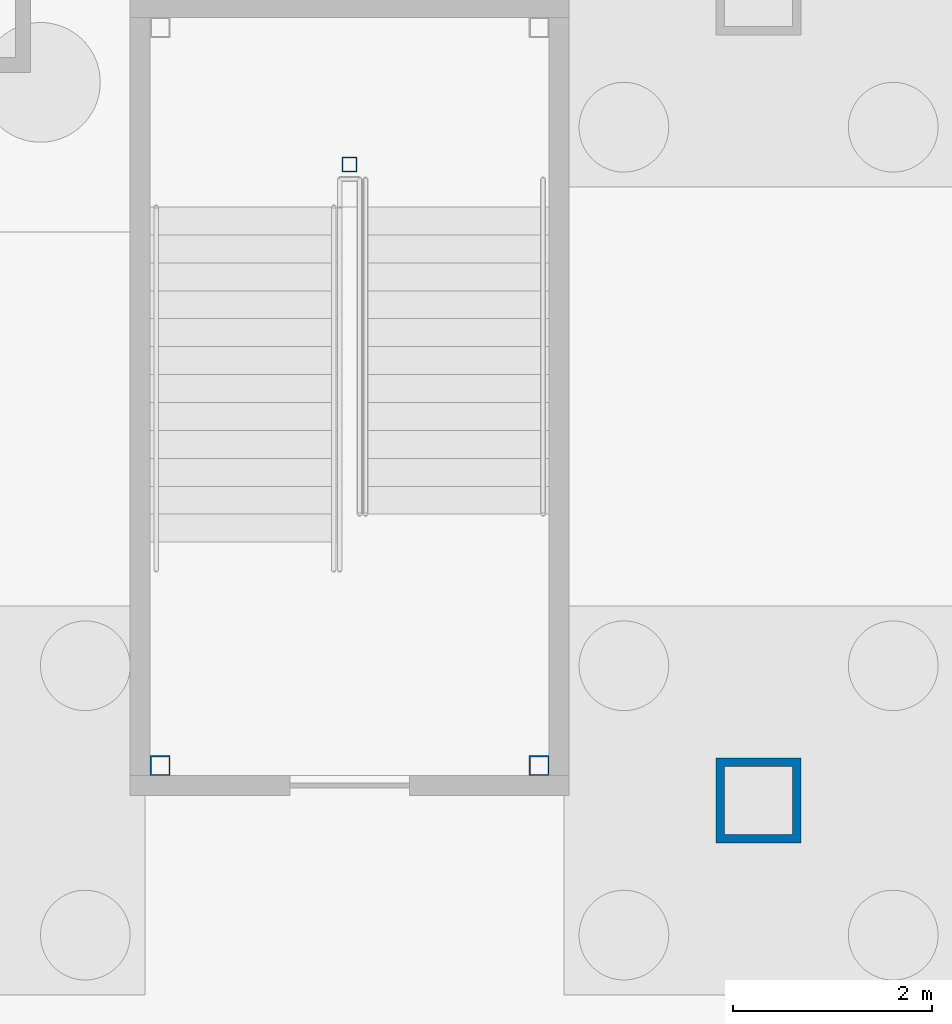
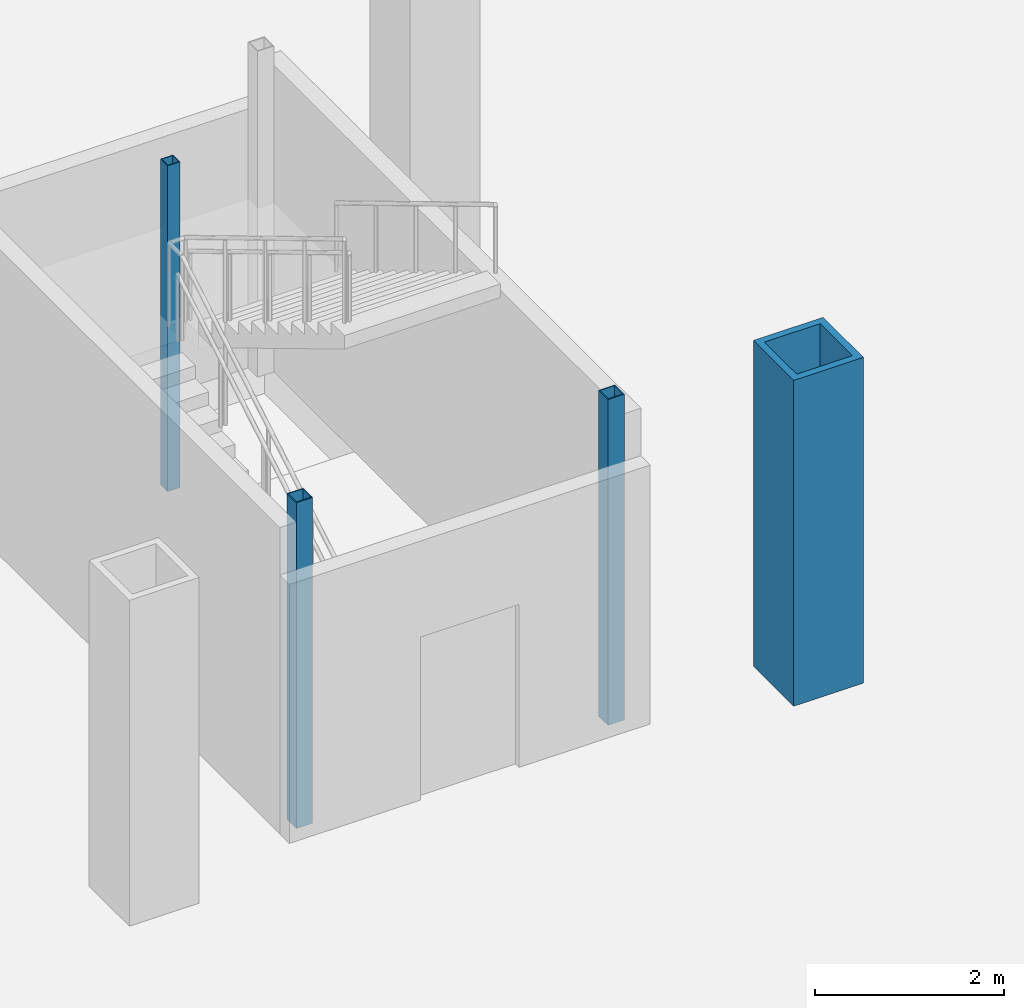
# One storey, part 6 of 17: 4 columns.
"""IFC4 building model written with IfcOpenShell, lengths in metres."""

from ifc_helpers import new_model, si_unit, direction, frame, origin, origin_2d, place, context, subcontext, project, spatial, hollow_rectangle, extrude, material, material_profile, profile_set, type_object, element, save


model = new_model("IFC4")

# Units and contexts
model_context = context("Model", 3, precision=1e-05, world=origin(), true_north=direction((0.0, 1.0)))
body_context = subcontext(model_context, "Body", "Model", "MODEL_VIEW")
ifc_project = project(units=[si_unit("LENGTHUNIT", "METRE"), si_unit("AREAUNIT", "SQUARE_METRE"), si_unit("VOLUMEUNIT", "CUBIC_METRE"), si_unit("PLANEANGLEUNIT", "RADIAN"), si_unit("MASSUNIT", "GRAM", prefix="KILO")], contexts=[model_context])

# Site, building, storey
site_placement = place(None, origin())
site = spatial("IfcSite", under=ifc_project, at=site_placement, CompositionType="ELEMENT")
building_placement = place(site_placement, origin())
building = spatial("IfcBuilding", under=site, at=building_placement, Name="Kopane Lantern Tower", CompositionType="ELEMENT")
storey_placement = place(building_placement, frame((0.0, 0.0, -8.39990234375)))
storey = spatial("IfcBuildingStorey", under=building, at=storey_placement, Name="L-02", CompositionType="ELEMENT", Elevation=-8.39990234375)

# Columns
ifc_material_1 = material(Name="Steel S355JR", Category="steel")
ifc_material_profile_1 = material_profile(ifc_material_1, hollow_rectangle(XDim=0.85009765625, YDim=0.85009765625, WallThickness=0.0849609375, at=origin_2d()), Name="BOX 850x850x85")
ifc_profile_set_1 = profile_set([ifc_material_profile_1], Name="Steel S355JR")
column_type_1 = type_object("IfcColumnType", Name="COLUMN BOX 850x850x85", PredefinedType="COLUMN", material=ifc_profile_set_1)
column_1_placement = place(storey_placement, frame((48.60009765625, 16.199951171875, 0.0), z_axis=(0.0, 0.0, 1.0), x_axis=(1.0, 0.0, 0.0)))
element("IfcColumn", 1, at=column_1_placement, inside=storey, type_object=column_type_1, Name="Column 8/D L-02", PredefinedType="COLUMN", context=body_context, shape_type="SweptSolid", body=[
    extrude(hollow_rectangle(XDim=0.85009765625, YDim=0.85009765625, WallThickness=0.0849609375, at=origin_2d()), origin(), (0.0, 0.0, 1.0), 4.199951171875),
])
ifc_material_2 = material(Name="Steel S355JR", Category="steel")
ifc_material_profile_2 = material_profile(ifc_material_2, hollow_rectangle(XDim=0.14990234375, YDim=0.14990234375, WallThickness=0.010009765625, at=origin_2d()), Name="BOX 150x150x10")
ifc_profile_set_2 = profile_set([ifc_material_profile_2], Name="Steel S355JR")
column_type_2 = type_object("IfcColumnType", Name="STAIR NEWEL POST BOX 150x150x10", PredefinedType="COLUMN", material=ifc_profile_set_2)
column_2_placement = place(storey_placement, frame((44.5, 22.574951171875, 0.0), z_axis=(0.0, 0.0, 1.0), x_axis=(1.0, 0.0, 0.0)))
element("IfcColumn", 2, at=column_2_placement, inside=storey, type_object=column_type_2, Name="Stair newel post ST4 NEWEL L-02", PredefinedType="COLUMN", context=body_context, shape_type="SweptSolid", body=[
    extrude(hollow_rectangle(XDim=0.14990234375, YDim=0.14990234375, WallThickness=0.010009765625, at=origin_2d()), origin(), (0.0, 0.0, 1.0), 4.199951171875),
])
ifc_material_3 = material(Name="Steel S355JR", Category="steel")
ifc_material_profile_3 = material_profile(ifc_material_3, hollow_rectangle(XDim=0.199951171875, YDim=0.199951171875, WallThickness=0.011962890625, at=origin_2d()), Name="BOX 200x200x12")
ifc_profile_set_3 = profile_set([ifc_material_profile_3], Name="Steel S355JR")
column_type_3 = type_object("IfcColumnType", Name="STAIR POST BOX 200x200x12", PredefinedType="COLUMN", material=ifc_profile_set_3)
for number, where, z_axis, x_axis, name in (
    (3, (42.60009765625, 16.550048828125, 0.0), (0.0, 0.0, 1.0), (1.0, 0.0, 0.0), "Stair post ST4 SW L-02"),
    (4, (46.39990234375, 16.550048828125, 0.0), (0.0, 0.0, 1.0), (1.0, 0.0, 0.0), "Stair post ST4 SE L-02"),
):
    element("IfcColumn", number, at=place(storey_placement, frame(where, z_axis=z_axis, x_axis=x_axis)), inside=storey, type_object=column_type_3, Name=name, PredefinedType="COLUMN", context=body_context, shape_type="SweptSolid", body=[
        extrude(hollow_rectangle(XDim=0.199951171875, YDim=0.199951171875, WallThickness=0.011962890625, at=origin_2d()), origin(), (0.0, 0.0, 1.0), 4.199951171875),
    ])

save(model, "model.ifc")
